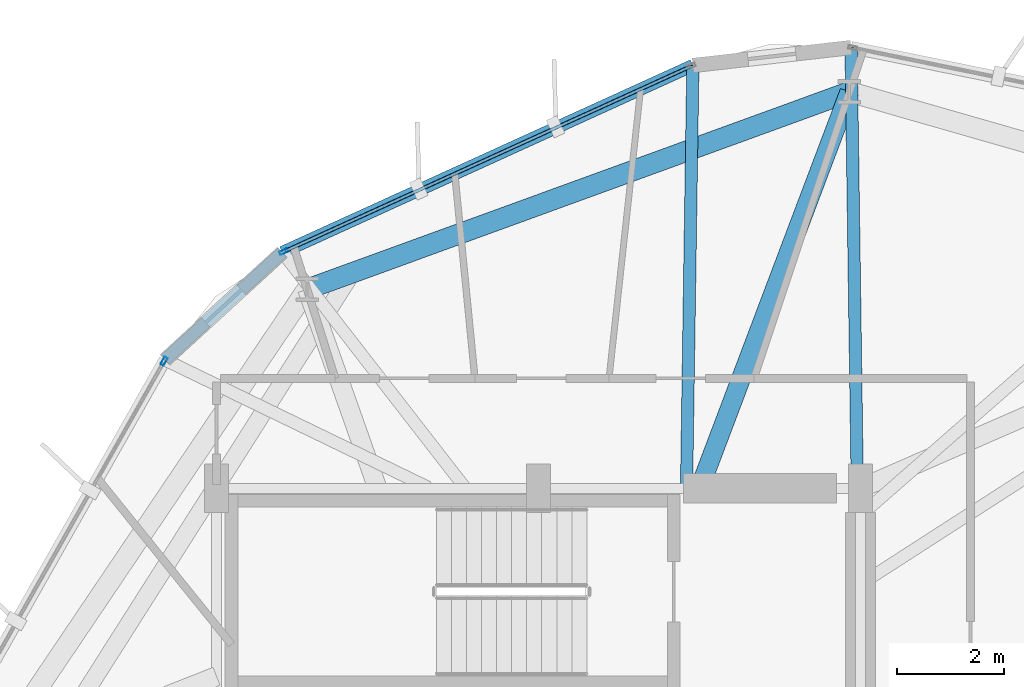
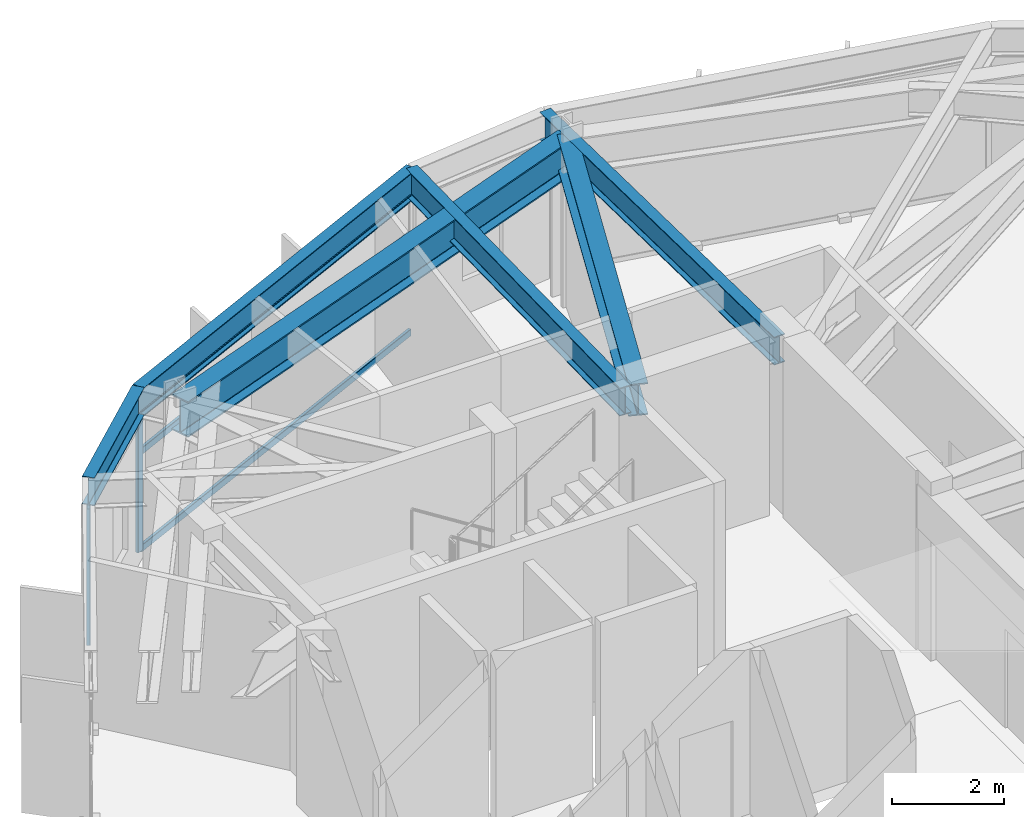
# One storey, part 14 of 23: 6 beams, 5 members, 2 elements without a shape of their own.
"""IFC4 building model written with IfcOpenShell, lengths in metres."""

from ifc_helpers import new_model, si_unit, direction, frame, origin, origin_2d, place, context, subcontext, project, spatial, hollow_rectangle, i_section, extrude, material, layer, layer_set, material_profile, profile_set, type_object, element, aggregate, save


model = new_model("IFC4")

# Units and contexts
model_context = context("Model", 3, precision=1e-05, world=origin(), true_north=direction((0.0, 1.0)))
body_context = subcontext(model_context, "Body", "Model", "MODEL_VIEW")
ifc_project = project(units=[si_unit("LENGTHUNIT", "METRE"), si_unit("AREAUNIT", "SQUARE_METRE"), si_unit("VOLUMEUNIT", "CUBIC_METRE"), si_unit("PLANEANGLEUNIT", "RADIAN"), si_unit("MASSUNIT", "GRAM", prefix="KILO")], contexts=[model_context])

# Site, building, storey
site_placement = place(None, origin())
site = spatial("IfcSite", under=ifc_project, at=site_placement, CompositionType="ELEMENT")
building_placement = place(site_placement, origin())
building = spatial("IfcBuilding", under=site, at=building_placement, Name="Soratama Intermodal Tower", CompositionType="ELEMENT")
storey_placement = place(building_placement, frame((0.0, 0.0, 122.5)))
storey = spatial("IfcBuildingStorey", under=building, at=storey_placement, Name="L29", CompositionType="ELEMENT", Elevation=122.5)

# Beams
ifc_material_1 = material(Name="Structural steel ASTM A992 Grade 50", Category="steel")
ifc_material_profile_1 = material_profile(ifc_material_1, i_section(OverallWidth=0.35498046875, OverallDepth=0.695068359375, WebThickness=0.015380859375, FlangeThickness=0.02490234375, FilletRadius=0.01611328125, at=origin_2d()), Name="W27X146")
ifc_profile_set_1 = profile_set([ifc_material_profile_1], Name="Structural steel ASTM A992 Grade 50")
beam_type_1 = type_object("IfcBeamType", Name="BM-RING-W27X146", PredefinedType="BEAM", material=ifc_profile_set_1)
beam_1_placement = place(storey_placement, frame((41.60009765625, 35.0, 3.25244140625), z_axis=(0.353577871145, 0.935405093549, 0.0), x_axis=(-0.935405093549, 0.353577871145, 0.0)))
element("IfcBeam", 1, at=beam_1_placement, inside=storey, type_object=beam_type_1, Name="BM-L29-RAD-03", PredefinedType="BEAM", context=body_context, shape_type="SweptSolid", body=[
    extrude(i_section(OverallWidth=0.35498046875, OverallDepth=0.695068359375, WebThickness=0.015380859375, FlangeThickness=0.02490234375, FilletRadius=0.01611328125, at=origin_2d()), origin(), (0.0, 0.0, 1.0), 7.899169921875),
])
ifc_material_2 = material(Name="Structural steel ASTM A992 Grade 50", Category="steel")
ifc_material_profile_2 = material_profile(ifc_material_2, i_section(OverallWidth=0.382080078125, OverallDepth=0.779052734375, WebThickness=0.01806640625, FlangeThickness=0.030029296875, FilletRadius=0.01806640625, at=origin_2d()), Name="W30X191")
ifc_profile_set_2 = profile_set([ifc_material_profile_2], Name="Structural steel ASTM A992 Grade 50")
beam_type_2 = type_object("IfcBeamType", Name="BM-RING-W30X191", PredefinedType="BEAM", material=ifc_profile_set_2)
beam_2_placement = place(storey_placement, frame((44.39306640625, 42.388916015625, 3.21044921875), z_axis=(-0.939690636038, -0.342025596326, 0.0), x_axis=(0.342025596326, -0.939690636038, 0.0)))
element("IfcBeam", 2, at=beam_2_placement, inside=storey, type_object=beam_type_2, Name="BM-L29-RING-03", PredefinedType="BEAM", context=body_context, shape_type="SweptSolid", body=[
    extrude(i_section(OverallWidth=0.382080078125, OverallDepth=0.779052734375, WebThickness=0.01806640625, FlangeThickness=0.030029296875, FilletRadius=0.01806640625, at=origin_2d()), origin(), (0.0, 0.0, 1.0), 10.75341796875),
])
ifc_material_3 = material(Name="Structural steel ASTM A992 Grade 50", Category="steel")
ifc_material_profile_3 = material_profile(ifc_material_3, i_section(OverallWidth=0.22900390625, OverallDepth=0.612060546875, WebThickness=0.011962890625, FlangeThickness=0.01953125, FilletRadius=0.012939453125, at=origin_2d()), Name="W24X84")
ifc_profile_set_3 = profile_set([ifc_material_profile_3], Name="Structural steel ASTM A992 Grade 50")
beam_type_3 = type_object("IfcBeamType", Name="BM-SPN-W24X84", PredefinedType="SPANDREL", material=ifc_profile_set_3)
beam_3_placement = place(storey_placement, frame((41.47607421875, 42.882080078125, 3.2939453125), z_axis=(-0.910105693231, -0.414376190373, 0.0), x_axis=(0.414376190373, -0.910105693231, 0.0)))
element("IfcBeam", 3, at=beam_3_placement, inside=storey, type_object=beam_type_3, Name="BS-L29-F03", PredefinedType="SPANDREL", context=body_context, shape_type="SweptSolid", body=[
    extrude(i_section(OverallWidth=0.22900390625, OverallDepth=0.612060546875, WebThickness=0.011962890625, FlangeThickness=0.01953125, FilletRadius=0.012939453125, at=origin_2d()), origin(), (0.0, 0.0, 1.0), 8.40576171875),
])
beam_4_placement = place(storey_placement, frame((33.825927734375, 39.39892578125, 3.2939453125), z_axis=(-0.737297615641, -0.675568076488, 0.0), x_axis=(0.675568076488, -0.737297615641, 0.0)))
element("IfcBeam", 4, at=beam_4_placement, inside=storey, type_object=beam_type_3, Name="BS-L29-CRN03", PredefinedType="SPANDREL", context=body_context, shape_type="SweptSolid", body=[
    extrude(i_section(OverallWidth=0.22900390625, OverallDepth=0.612060546875, WebThickness=0.011962890625, FlangeThickness=0.01953125, FilletRadius=0.012939453125, at=origin_2d()), origin(), (0.0, 0.0, 1.0), 2.96630859375),
])
ifc_material_4 = material(Name="Structural steel ASTM A992 Grade 50", Category="steel")
ifc_material_profile_4 = material_profile(ifc_material_4, i_section(OverallWidth=0.22900390625, OverallDepth=0.612060546875, WebThickness=0.011962890625, FlangeThickness=0.01953125, FilletRadius=0.012939453125, at=origin_2d()), Name="W24X84")
ifc_profile_set_4 = profile_set([ifc_material_profile_4], Name="Structural steel ASTM A992 Grade 50")
beam_type_4 = type_object("IfcBeamType", Name="BM-TIE-W24X84", PredefinedType="BEAM", material=ifc_profile_set_4)
beam_5_placement = place(storey_placement, frame((44.5400390625, 35.0400390625, 3.2939453125), z_axis=(-0.014180641883, 0.999899449643, 0.0), x_axis=(-0.999899449643, -0.014180641883, 0.0)))
element("IfcBeam", 5, at=beam_5_placement, inside=storey, type_object=beam_type_4, Name="BM-L29-TIE1-02", PredefinedType="BEAM", context=body_context, shape_type="SweptSolid", body=[
    extrude(i_section(OverallWidth=0.22900390625, OverallDepth=0.612060546875, WebThickness=0.011962890625, FlangeThickness=0.01953125, FilletRadius=0.012939453125, at=origin_2d()), origin(), (0.0, 0.0, 1.0), 8.177734375),
])
beam_6_placement = place(storey_placement, frame((41.35888671875, 35.0400390625, 3.2939453125), z_axis=(0.014941826688, 0.999888364676, 0.0), x_axis=(-0.999888364676, 0.014941826688, 0.0)))
element("IfcBeam", 6, at=beam_6_placement, inside=storey, type_object=beam_type_4, Name="BM-L29-TIE0-03", PredefinedType="BEAM", context=body_context, shape_type="SweptSolid", body=[
    extrude(i_section(OverallWidth=0.22900390625, OverallDepth=0.612060546875, WebThickness=0.011962890625, FlangeThickness=0.01953125, FilletRadius=0.012939453125, at=origin_2d()), origin(), (0.0, 0.0, 1.0), 7.843017578125),
])

# Curtain wall, member
ifc_material_5 = material(Name="Double-glazed aluminium curtain wall", Category="aluminium")
ifc_layer = layer(ifc_material_5, 0.159912109375)
ifc_layer_set = layer_set([ifc_layer], Name="Double-glazed aluminium curtain wall")
curtain_wall_type = type_object("IfcCurtainWallType", Name="CW-SYS-3", PredefinedType="NOTDEFINED", material=ifc_layer_set)
curtain_wall_1_placement = place(storey_placement, origin())
curtain_wall_1 = element("IfcCurtainWall", 7, at=curtain_wall_1_placement, inside=storey, type_object=curtain_wall_type, Name="L29 Faceted Curtain Wall F03", PredefinedType="NOTDEFINED")
ifc_material_6 = material(Name="Anodised aluminium AA 6063-T6", Category="aluminium")
ifc_material_profile_5 = material_profile(ifc_material_6, hollow_rectangle(XDim=0.070068359375, YDim=0.159912109375, WallThickness=0.0048828125, InnerFilletRadius=0.0048828125, OuterFilletRadius=0.010009765625, at=origin_2d()), Name="CWM160X70X5")
ifc_profile_set_5 = profile_set([ifc_material_profile_5], Name="Anodised aluminium AA 6063-T6")
member_type_1 = type_object("IfcMemberType", Name="MT-CWM-3", PredefinedType="MULLION", material=ifc_profile_set_5)
member_1_placement = place(storey_placement, frame((33.853759765625, 39.4111328125, 0.0), z_axis=(0.0, 0.0, 1.0), x_axis=(0.414381018039, -0.910103495153, 0.0)))
member_1 = element("IfcMember", 8, at=member_1_placement, type_object=member_type_1, Name="CW-3 mullion 2", PredefinedType="MULLION", context=body_context, shape_type="SweptSolid", body=[
    extrude(hollow_rectangle(XDim=0.070068359375, YDim=0.159912109375, WallThickness=0.0048828125, InnerFilletRadius=0.0048828125, OuterFilletRadius=0.010009765625, at=origin_2d()), origin(), (0.0, 0.0, 1.0), 2.97900390625),
])

curtain_wall_2_placement = place(storey_placement, origin())
curtain_wall_2 = element("IfcCurtainWall", 9, at=curtain_wall_2_placement, inside=storey, type_object=curtain_wall_type, Name="L29 Faceted Curtain Wall F04", PredefinedType="NOTDEFINED")
member_2_placement = place(storey_placement, frame((31.623779296875, 37.369140625, 0.0), z_axis=(0.0, 0.0, 1.0), x_axis=(0.870183228771, -0.492728270314, 0.0)))
member_2 = element("IfcMember", 10, at=member_2_placement, type_object=member_type_1, Name="CW-3 mullion 1", PredefinedType="MULLION", context=body_context, shape_type="SweptSolid", body=[
    extrude(hollow_rectangle(XDim=0.070068359375, YDim=0.159912109375, WallThickness=0.0048828125, InnerFilletRadius=0.0048828125, OuterFilletRadius=0.010009765625, at=origin_2d()), origin(), (0.0, 0.0, 1.0), 2.97900390625),
])
aggregate(curtain_wall_2, [member_2])

# Member
ifc_material_7 = material(Name="Anodised aluminium AA 6063-T6", Category="aluminium")
ifc_material_profile_6 = material_profile(ifc_material_7, hollow_rectangle(XDim=0.06494140625, YDim=0.14990234375, WallThickness=0.0048828125, InnerFilletRadius=0.0048828125, OuterFilletRadius=0.010009765625, at=origin_2d()), Name="CWT150X65X5")
ifc_profile_set_6 = profile_set([ifc_material_profile_6], Name="Anodised aluminium AA 6063-T6")
member_type_2 = type_object("IfcMemberType", Name="TT-CWT-1", PredefinedType="USERDEFINED", material=ifc_profile_set_6)
member_3_placement = place(storey_placement, frame((41.42138671875, 42.85693359375, 0.030029296875), z_axis=(-0.910095830237, -0.414397852052, 0.0), x_axis=(0.414397852052, -0.910095830237, 0.0)))
member_3 = element("IfcMember", 11, at=member_3_placement, type_object=member_type_2, Name="CW-3 transom 1.1", ObjectType="TRANSOM", PredefinedType="USERDEFINED", context=body_context, shape_type="SweptSolid", body=[
    extrude(hollow_rectangle(XDim=0.06494140625, YDim=0.14990234375, WallThickness=0.0048828125, InnerFilletRadius=0.0048828125, OuterFilletRadius=0.010009765625, at=origin_2d()), origin(), (0.0, 0.0, 1.0), 8.28515625),
])

member_4_placement = place(storey_placement, frame((41.42138671875, 42.85693359375, 2.14990234375), z_axis=(-0.910095830237, -0.414397852052, 0.0), x_axis=(0.414397852052, -0.910095830237, 0.0)))
member_4 = element("IfcMember", 12, at=member_4_placement, type_object=member_type_2, Name="CW-3 transom 1.2", ObjectType="TRANSOM", PredefinedType="USERDEFINED", context=body_context, shape_type="SweptSolid", body=[
    extrude(hollow_rectangle(XDim=0.06494140625, YDim=0.14990234375, WallThickness=0.0048828125, InnerFilletRadius=0.0048828125, OuterFilletRadius=0.010009765625, at=origin_2d()), origin(), (0.0, 0.0, 1.0), 8.28515625),
])

member_5_placement = place(storey_placement, frame((41.42138671875, 42.85693359375, 2.948974609375), z_axis=(-0.910095830237, -0.414397852052, 0.0), x_axis=(0.414397852052, -0.910095830237, 0.0)))
member_5 = element("IfcMember", 13, at=member_5_placement, type_object=member_type_2, Name="CW-3 transom 1.3", ObjectType="TRANSOM", PredefinedType="USERDEFINED", context=body_context, shape_type="SweptSolid", body=[
    extrude(hollow_rectangle(XDim=0.06494140625, YDim=0.14990234375, WallThickness=0.0048828125, InnerFilletRadius=0.0048828125, OuterFilletRadius=0.010009765625, at=origin_2d()), origin(), (0.0, 0.0, 1.0), 8.28515625),
])

aggregate(curtain_wall_1, [member_1, member_3, member_4, member_5])

save(model, "model.ifc")
